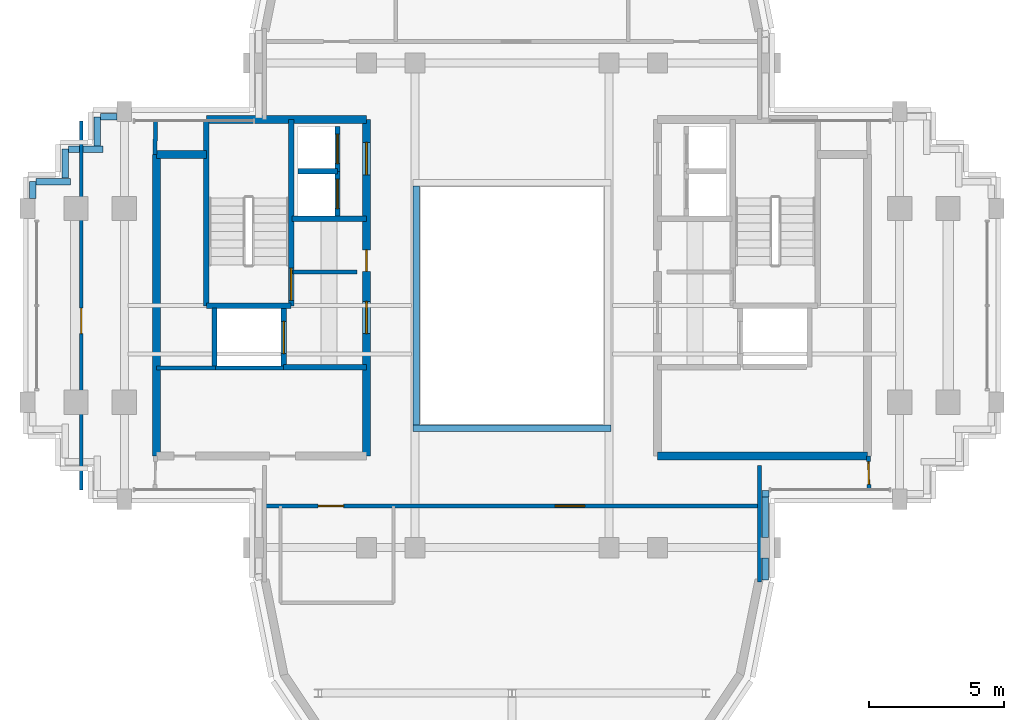
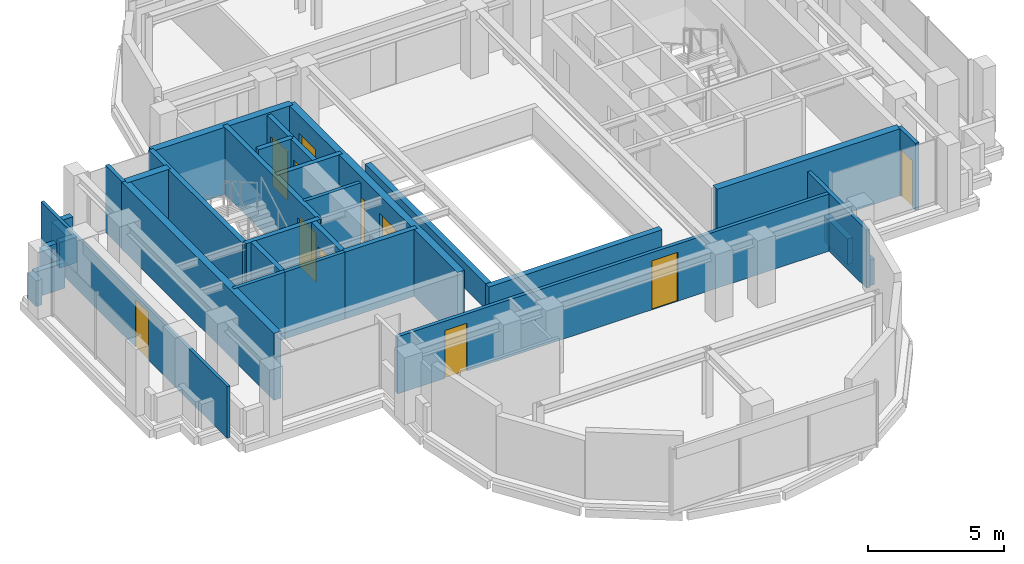
# One storey, part 8 of 12: 35 walls, 11 doors, 11 openings.
"""IFC4 building model written with IfcOpenShell, lengths in metres."""

import ifcopenshell
import ifcopenshell.guid

model = None  # the IFC model being written
_history = None  # IfcOwnerHistory: only IFC2X3 demands one
_inside = {}  # id of a spatial element -> (the spatial element, [elements in it])
_under = {}  # id of a project, library or spatial element -> (it, [spatial elements below it])
_declared = {}  # id of a project -> (the project, [libraries it declares])
_typed = {}  # id of a type object -> (the type object, [elements of that type])
_made_of = {}  # id of a material, layer set ... -> (it, [elements and type objects made of it])


def new_model(schema):
    """Start an empty IFC model of exactly this schema.

    Asked for "IFC4X3", IfcOpenShell would pick the latest addendum, in which some entities
    have other attributes; the version numbers below select the first issue.
    IFC2X3 requires an IfcOwnerHistory on every rooted entity: one is made here for all.
    """
    global model, _history
    if schema == "IFC4X3":
        model = ifcopenshell.file(schema_version=(4, 3, 0, 0))
    else:
        model = ifcopenshell.file(schema=schema)
    _inside.clear()
    _under.clear()
    _declared.clear()
    _typed.clear()
    _made_of.clear()
    _history = None
    if model.schema == "IFC2X3":
        org = make("IfcOrganization", Name="unknown")
        user = make(
            "IfcPersonAndOrganization",
            ThePerson=make("IfcPerson", FamilyName="unknown"),
            TheOrganization=org,
        )
        app = make(
            "IfcApplication",
            ApplicationDeveloper=org,
            Version="unknown",
            ApplicationFullName="unknown",
            ApplicationIdentifier="unknown",
        )
        _history = make(
            "IfcOwnerHistory",
            OwningUser=user,
            OwningApplication=app,
            ChangeAction="ADDED",
            CreationDate=0,
        )
    return model


def make(cls, **values):
    """One entity of the class cls with the attributes given. An attribute that is None is left unset."""
    return model.create_entity(
        cls, **{name: value for name, value in values.items() if value is not None}
    )


def rooted(cls, **values):
    """An entity with a GlobalId (a new one), such as an element, a storey or a relation."""
    return make(cls, GlobalId=ifcopenshell.guid.new(), OwnerHistory=_history, **values)


def si_unit(unit_type, name, prefix=None):
    """IfcSIUnit, for example si_unit("LENGTHUNIT", "METRE", prefix="MILLI")."""
    return make("IfcSIUnit", UnitType=unit_type, Prefix=prefix, Name=name)


def assignment(units):
    """IfcUnitAssignment: the units of a project."""
    return None if units is None else make("IfcUnitAssignment", Units=units)


def point(xyz):
    """IfcCartesianPoint."""
    return None if xyz is None else make("IfcCartesianPoint", Coordinates=xyz)


def direction(xyz):
    """IfcDirection."""
    return None if xyz is None else make("IfcDirection", DirectionRatios=xyz)


def frame(location, z_axis=None, x_axis=None):
    """IfcAxis2Placement3D, a coordinate frame: its origin and axes. An axis left out is left unset."""
    return make(
        "IfcAxis2Placement3D",
        Location=point(location),
        Axis=direction(z_axis),
        RefDirection=direction(x_axis),
    )


def frame_2d(location, x_axis=None):
    """IfcAxis2Placement2D, a coordinate frame in the plane: its origin and x axis."""
    return make(
        "IfcAxis2Placement2D", Location=point(location), RefDirection=direction(x_axis)
    )


def origin():
    """The frame at (0, 0, 0) with its axes left unset."""
    return frame((0.0, 0.0, 0.0))


def place(relative_to, where):
    """IfcLocalPlacement: puts the frame where relative to a parent placement (None: the world)."""
    return make(
        "IfcLocalPlacement", PlacementRelTo=relative_to, RelativePlacement=where
    )


def context(
    kind, dimensions, precision=None, world=None, true_north=None, identifier=None
):
    """IfcGeometricRepresentationContext, for example the 3D "Model" context."""
    return make(
        "IfcGeometricRepresentationContext",
        ContextIdentifier=identifier,
        ContextType=kind,
        CoordinateSpaceDimension=dimensions,
        Precision=precision,
        WorldCoordinateSystem=world,
        TrueNorth=true_north,
    )


def subcontext(parent, identifier, kind, view, scale=None):
    """IfcGeometricRepresentationSubContext, for example "Body" below "Model"."""
    return make(
        "IfcGeometricRepresentationSubContext",
        ContextIdentifier=identifier,
        ContextType=kind,
        ParentContext=parent,
        TargetScale=scale,
        TargetView=view,
    )


def project(units=None, contexts=None):
    """IfcProject with its units and contexts."""
    return rooted(
        "IfcProject",
        Name="project",
        RepresentationContexts=contexts,
        UnitsInContext=assignment(units),
    )


def spatial(cls, under=None, at=None, **own):
    """A site, building, storey or space (cls), placed at a placement, below another one or the project."""
    s = rooted(cls, ObjectPlacement=at, **own)
    if under is not None:
        _under.setdefault(under.id(), (under, []))[1].append(s)
    return s


def profile(cls, at=None, kind="AREA", **sizes):
    """A parametric profile (cls). Its sizes go by their IFC names, for example OverallWidth=200.0."""
    return make(cls, ProfileType=kind, Position=at, **sizes)


def rectangle(**sizes):
    """IfcRectangleProfileDef."""
    return profile("IfcRectangleProfileDef", **sizes)


def extrude(swept, where, along, depth):
    """IfcExtrudedAreaSolid: the profile swept, set in the frame where, extruded along a direction by depth."""
    return make(
        "IfcExtrudedAreaSolid",
        SweptArea=swept,
        Position=where,
        ExtrudedDirection=direction(along),
        Depth=depth,
    )


def shape(context_of_items, identifier, shape_type, items):
    """IfcShapeRepresentation: the items that make up one representation, for example the "Body"."""
    return make(
        "IfcShapeRepresentation",
        ContextOfItems=context_of_items,
        RepresentationIdentifier=identifier,
        RepresentationType=shape_type,
        Items=items,
    )


def source(mapping_origin, context_of_items, identifier, shape_type, items):
    """IfcRepresentationMap: a shape defined once, which mapped items show again and again."""
    return make(
        "IfcRepresentationMap",
        MappingOrigin=mapping_origin,
        MappedRepresentation=shape(context_of_items, identifier, shape_type, items),
    )


def transform(
    local_origin,
    x_axis=None,
    y_axis=None,
    z_axis=None,
    scale=None,
    scale2=None,
    scale3=None,
    uniform=True,
):
    """IfcCartesianTransformationOperator3D, or its non-uniform kind. x_axis, y_axis, z_axis: its Axis1, 2, 3."""
    if uniform:
        return make(
            "IfcCartesianTransformationOperator3D",
            Axis1=direction(x_axis),
            Axis2=direction(y_axis),
            LocalOrigin=point(local_origin),
            Scale=scale,
            Axis3=direction(z_axis),
        )
    return make(
        "IfcCartesianTransformationOperator3DnonUniform",
        Axis1=direction(x_axis),
        Axis2=direction(y_axis),
        LocalOrigin=point(local_origin),
        Scale=scale,
        Axis3=direction(z_axis),
        Scale2=scale2,
        Scale3=scale3,
    )


def mapped(mapping_source, mapping_target):
    """IfcMappedItem: shows the shape of a source again, moved by a transform."""
    return make(
        "IfcMappedItem", MappingSource=mapping_source, MappingTarget=mapping_target
    )


def material(Name=None, Category=None):
    """IfcMaterial."""
    return make("IfcMaterial", Name=Name, Category=Category)


def layer(
    of_material, thickness, ventilated=None, Name=None, Category=None, Priority=None
):
    """IfcMaterialLayer: one layer of a wall or slab, of a material (None: an air gap)."""
    return make(
        "IfcMaterialLayer",
        Material=of_material,
        LayerThickness=thickness,
        IsVentilated=ventilated,
        Name=Name,
        Category=Category,
        Priority=Priority,
    )


def layer_set(layers, Name=None):
    """IfcMaterialLayerSet."""
    return make("IfcMaterialLayerSet", MaterialLayers=layers, LayerSetName=Name)


def made_of(thing, what):
    """Note that an element or type object is made of a material, layer set ...; save() writes the relation."""
    if what is not None:
        _made_of.setdefault(what.id(), (what, []))[1].append(thing)
    return thing


def type_object(cls, material=None, **own):
    """A type object (cls), such as IfcWallType, which elements share."""
    return made_of(rooted(cls, **own), material)


def element(
    cls,
    number,
    at=None,
    inside=None,
    cuts=None,
    type_object=None,
    material=None,
    context=None,
    identifier="Body",
    shape_type=None,
    held_by="IfcProductDefinitionShape",
    body=None,
    shapes=None,
    **own,
):
    """One element of the class cls, such as IfcWall. Its Tag is "e" and its number.

    at: its placement. inside: the storey or other place that contains it. cuts: it is an
    opening in that element (IfcRelVoidsElement). A single representation is given by context,
    identifier, shape_type and body (its items); several are given by shapes. held_by: the class
    of the entity that holds the representations. save() writes the other relations.
    """
    e = rooted(cls, Tag="e%d" % number, ObjectPlacement=at, **own)
    if body is not None:
        shapes = [shape(context, identifier, shape_type, body)]
    if shapes is not None:
        e.Representation = make(held_by, Representations=shapes)
    if inside is not None:
        _inside.setdefault(inside.id(), (inside, []))[1].append(e)
    if cuts is not None:
        rooted(
            "IfcRelVoidsElement", RelatingBuildingElement=cuts, RelatedOpeningElement=e
        )
    if type_object is not None:
        _typed.setdefault(type_object.id(), (type_object, []))[1].append(e)
    return made_of(e, material)


def fill(opening, filler):
    """IfcRelFillsElement: the door or window that sits in an opening."""
    return rooted(
        "IfcRelFillsElement",
        RelatingOpeningElement=opening,
        RelatedBuildingElement=filler,
    )


def aggregate(whole, parts):
    """IfcRelAggregates: a whole, such as a stair, and the parts it consists of."""
    return rooted("IfcRelAggregates", RelatingObject=whole, RelatedObjects=parts)


def save(model, path):
    """Write the relations noted so far, then the file.

    IfcRelAggregates (storeys below a building ...), IfcRelContainedInSpatialStructure (elements
    in a storey), IfcRelDefinesByType, IfcRelAssociatesMaterial and IfcRelDeclares: one each for
    every whole, place, type object, material and project.
    """
    for whole, parts in _under.values():
        aggregate(whole, parts)
    for where, things in _inside.values():
        rooted(
            "IfcRelContainedInSpatialStructure",
            RelatedElements=things,
            RelatingStructure=where,
        )
    for kind, things in _typed.values():
        rooted("IfcRelDefinesByType", RelatedObjects=things, RelatingType=kind)
    for what, things in _made_of.values():
        rooted("IfcRelAssociatesMaterial", RelatedObjects=things, RelatingMaterial=what)
    for by, libraries in _declared.values():
        rooted("IfcRelDeclares", RelatingContext=by, RelatedDefinitions=libraries)
    model.write(path)


model = new_model("IFC4")

# Units and contexts
model_context = context("Model", 3, precision=1e-05, world=origin(), true_north=direction((0.0, 1.0)))
body_context = subcontext(model_context, "Body", "Model", "MODEL_VIEW")
ifc_project = project(units=[si_unit("LENGTHUNIT", "METRE"), si_unit("AREAUNIT", "SQUARE_METRE"), si_unit("VOLUMEUNIT", "CUBIC_METRE"), si_unit("PLANEANGLEUNIT", "RADIAN"), si_unit("MASSUNIT", "GRAM", prefix="KILO")], contexts=[model_context])

# Site, building, storey
site_placement = place(None, origin())
site = spatial("IfcSite", under=ifc_project, at=site_placement, CompositionType="ELEMENT")
building_placement = place(site_placement, origin())
building = spatial("IfcBuilding", under=site, at=building_placement, Name="Keilestroom Media Tower", CompositionType="ELEMENT")
storey_placement = place(building_placement, frame((0.0, 0.0, 249.199951171875)))
storey = spatial("IfcBuildingStorey", under=building, at=storey_placement, Name="L69", CompositionType="ELEMENT", Elevation=249.199951171875)

# Wall, opening, door
ifc_material_1 = material(Name="Gypsum Plasterboard & Steel Stud", Category="steel")
ifc_layer_1 = layer(ifc_material_1, 0.1201171875)
ifc_layer_set_1 = layer_set([ifc_layer_1], Name="Gypsum Plasterboard & Steel Stud")
wall_type_1 = type_object("IfcWallType", Name="Interior-Partition-Wall-120", PredefinedType="PARTITIONING", material=ifc_layer_set_1)
wall_1_placement = place(storey_placement, frame((-16.0, -6.85009765625, 0.0), z_axis=(0.0, 0.0, 1.0), x_axis=(0.0, 1.0, 0.0)))
wall_1 = element("IfcWall", 1, at=wall_1_placement, inside=storey, type_object=wall_type_1, Name="L69 Interior Wall WP-L69-WA-V", PredefinedType="PARTITIONING", context=body_context, shape_type="SweptSolid", body=[
    extrude(rectangle(XDim=13.7001953125, YDim=0.1201171875, at=frame_2d((6.85009765625, 0.0))), origin(), (0.0, 0.0, 1.0), 2.330078125),
])
opening_1_placement = place(wall_1_placement, frame((5.800048828125, 0.0, 0.0)))
opening_1 = element("IfcOpeningElement", 2, at=opening_1_placement, cuts=wall_1, Name="Opening DI-03", PredefinedType="OPENING", context=body_context, shape_type="SweptSolid", body=[
    extrude(rectangle(XDim=0.949951171875, YDim=2.14990234375, at=frame_2d((0.47509765625, 1.074951171875))), frame((0.0, 0.070068359375, 0.0), z_axis=(0.0, -1.0, 0.0), x_axis=(1.0, 0.0, 0.0)), (0.0, 0.0, 1.0), 0.14013671875),
])
ifc_material_2 = material(Name="Lacquered European Oak Leaf", Category="wood")
door_type_1 = type_object("IfcDoorType", Name="Interior-Room-And-Suite-Door-DI-03", OperationType="NOTDEFINED", PredefinedType="DOOR", material=ifc_material_2)
shared_shape_1 = source(origin(), body_context, "Body", "SweptSolid", [
    extrude(rectangle(XDim=0.949951171875, YDim=2.14990234375, at=frame_2d((0.47509765625, 1.074951171875))), frame((0.0, 0.02490234375, 0.0), z_axis=(0.0, -1.0, 0.0), x_axis=(1.0, 0.0, 0.0)), (0.0, 0.0, 1.0), 0.050048828125),
])
door_1_placement = place(opening_1_placement, origin())
door_1 = element("IfcDoor", 3, at=door_1_placement, inside=storey, type_object=door_type_1, Name="L69 Interior Door DI-L69-DWA-W", OperationType="SINGLE_SWING_LEFT", OverallHeight=2.14990234375, OverallWidth=0.949951171875, PredefinedType="DOOR", context=body_context, shape_type="MappedRepresentation", body=[
    mapped(shared_shape_1, transform((0.0, 0.0, 0.0), x_axis=(1.0, 0.0, 0.0), y_axis=(0.0, 1.0, 0.0), z_axis=(0.0, 0.0, 1.0), scale=1.0)),
])
fill(opening_1, door_1)

# Walls
ifc_layer_2 = layer(ifc_material_1, 0.14990234375)
ifc_layer_set_2 = layer_set([ifc_layer_2], Name="Gypsum Plasterboard & Steel Stud")
wall_type_2 = type_object("IfcWallType", Name="Interior-Partition-Wall-150", PredefinedType="PARTITIONING", material=ifc_layer_set_2)
wall_2_placement = place(storey_placement, frame((-8.139892578125, 1.239990234375, 0.0), z_axis=(0.0, 0.0, 1.0), x_axis=(1.0, 0.0, 0.0)))
element("IfcWall", 4, at=wall_2_placement, inside=storey, type_object=wall_type_2, Name="L69 Interior Wall WP-L69-FFW-TOP", PredefinedType="PARTITIONING", context=body_context, shape_type="SweptSolid", body=[
    extrude(rectangle(XDim=2.389892578125, YDim=0.14990234375, at=frame_2d((1.19482421875, 0.0))), origin(), (0.0, 0.0, 1.0), 3.010009765625),
])
wall_3_placement = place(storey_placement, frame((-13.199951171875, -2.320068359375, 0.0), z_axis=(0.0, 0.0, 1.0), x_axis=(1.0, 0.0, 0.0)))
element("IfcWall", 5, at=wall_3_placement, inside=storey, type_object=wall_type_2, Name="L69 Interior Wall WP-L69-RECLW-N", PredefinedType="PARTITIONING", context=body_context, shape_type="SweptSolid", body=[
    extrude(rectangle(XDim=2.179931640625, YDim=0.14990234375, at=frame_2d((1.08984375, 0.0))), origin(), (0.0, 0.0, 1.0), 3.010009765625),
])
wall_4_placement = place(storey_placement, frame((-11.0400390625, -2.320068359375, 0.0), z_axis=(0.0, 0.0, 1.0), x_axis=(1.0, 0.0, 0.0)))
element("IfcWall", 6, at=wall_4_placement, inside=storey, type_object=wall_type_2, Name="L69 Interior Wall WP-L69-RECMW-N", PredefinedType="PARTITIONING", context=body_context, shape_type="SweptSolid", body=[
    extrude(rectangle(XDim=2.56005859375, YDim=0.14990234375, at=frame_2d((1.280029296875, 0.0))), origin(), (0.0, 0.0, 1.0), 3.010009765625),
])

# Wall, openings, doors
wall_5_placement = place(storey_placement, frame((-9.199951171875, -7.449951171875, 0.0), z_axis=(0.0, 0.0, 1.0), x_axis=(1.0, 0.0, 0.0)))
wall_5 = element("IfcWall", 7, at=wall_5_placement, inside=storey, type_object=wall_type_2, Name="L69 Interior Wall WP-L69-SL-BASE", PredefinedType="PARTITIONING", context=body_context, shape_type="SweptSolid", body=[
    extrude(rectangle(XDim=18.39990234375, YDim=0.14990234375, at=frame_2d((9.199951171875, 0.0))), origin(), (0.0, 0.0, 1.0), 2.570068359375),
])
opening_2_placement = place(wall_5_placement, frame((2.0, 0.0, 0.0)))
opening_2 = element("IfcOpeningElement", 8, at=opening_2_placement, cuts=wall_5, Name="Opening DI-03", PredefinedType="OPENING", context=body_context, shape_type="SweptSolid", body=[
    extrude(rectangle(XDim=0.949951171875, YDim=2.14990234375, at=frame_2d((0.47509765625, 1.074951171875))), frame((0.0, 0.0849609375, 0.0), z_axis=(0.0, -1.0, 0.0), x_axis=(1.0, 0.0, 0.0)), (0.0, 0.0, 1.0), 0.169921875),
])
opening_3_placement = place(wall_5_placement, frame((10.800048828125, 0.0, 0.0)))
opening_3 = element("IfcOpeningElement", 9, at=opening_3_placement, cuts=wall_5, Name="Opening DI-04", PredefinedType="OPENING", context=body_context, shape_type="SweptSolid", body=[
    extrude(rectangle(XDim=1.10009765625, YDim=2.199951171875, at=frame_2d((0.550048828125, 1.10009765625))), frame((0.0, 0.0849609375, 0.0), z_axis=(0.0, -1.0, 0.0), x_axis=(1.0, 0.0, 0.0)), (0.0, 0.0, 1.0), 0.169921875),
])
door_2_placement = place(opening_2_placement, origin())
door_2 = element("IfcDoor", 10, at=door_2_placement, inside=storey, type_object=door_type_1, Name="L69 Interior Door DI-L69-DSL-WC4", OperationType="SINGLE_SWING_RIGHT", OverallHeight=2.14990234375, OverallWidth=0.949951171875, PredefinedType="DOOR", context=body_context, shape_type="MappedRepresentation", body=[
    mapped(shared_shape_1, transform((0.0, 0.0, 0.0), x_axis=(1.0, 0.0, 0.0), y_axis=(0.0, 1.0, 0.0), z_axis=(0.0, 0.0, 1.0), scale=1.0)),
])
fill(opening_2, door_2)
ifc_material_3 = material(Name="Acoustic Glazed Aluminium Leaf", Category="aluminium")
door_type_2 = type_object("IfcDoorType", Name="Interior-Room-And-Suite-Door-DI-04", OperationType="NOTDEFINED", PredefinedType="DOOR", material=ifc_material_3)
shared_shape_2 = source(origin(), body_context, "Body", "SweptSolid", [
    extrude(rectangle(XDim=1.10009765625, YDim=2.199951171875, at=frame_2d((0.550048828125, 1.10009765625))), frame((0.0, 0.02490234375, 0.0), z_axis=(0.0, -1.0, 0.0), x_axis=(1.0, 0.0, 0.0)), (0.0, 0.0, 1.0), 0.050048828125),
])
door_3_placement = place(opening_3_placement, origin())
door_3 = element("IfcDoor", 11, at=door_3_placement, inside=storey, type_object=door_type_2, Name="L69 Interior Door DI-L69-DSL-RR", OperationType="SINGLE_SWING_LEFT", OverallHeight=2.199951171875, OverallWidth=1.10009765625, PredefinedType="DOOR", context=body_context, shape_type="MappedRepresentation", body=[
    mapped(shared_shape_2, transform((0.0, 0.0, 0.0), x_axis=(1.0, 0.0, 0.0), y_axis=(0.0, 1.0, 0.0), z_axis=(0.0, 0.0, 1.0), scale=1.0)),
])
fill(opening_3, door_3)

# Walls
wall_6_placement = place(storey_placement, frame((9.199951171875, -10.280029296875, 0.0), z_axis=(0.0, 0.0, 1.0), x_axis=(0.0, 1.0, 0.0)))
element("IfcWall", 12, at=wall_6_placement, inside=storey, type_object=wall_type_2, Name="L69 Interior Wall WP-L69-SL-CHKE", PredefinedType="PARTITIONING", context=body_context, shape_type="SweptSolid", body=[
    extrude(rectangle(XDim=4.340087890625, YDim=0.14990234375, at=frame_2d((2.169921875, 0.0))), origin(), (0.0, 0.0, 1.0), 2.610107421875),
])
wall_7_placement = place(storey_placement, frame((-13.260009765625, 5.60009765625, 0.0), z_axis=(0.0, 0.0, 1.0), x_axis=(0.016013571389, 0.999871774545, 0.0)))
element("IfcWall", 13, at=wall_7_placement, inside=storey, type_object=wall_type_2, Name="L69 Interior Wall WP-L69-WA-ENTN", PredefinedType="PARTITIONING", context=body_context, shape_type="SweptSolid", body=[
    extrude(rectangle(XDim=1.250244140625, YDim=0.14990234375, at=frame_2d((0.625, 0.0))), origin(), (0.0, 0.0, 1.0), 3.010009765625),
])

# Wall, opening, door
wall_8_placement = place(storey_placement, frame((13.260009765625, -6.85009765625, 0.0), z_axis=(0.0, 0.0, 1.0), x_axis=(-0.016013571389, 0.999871774545, 0.0)))
wall_8 = element("IfcWall", 14, at=wall_8_placement, inside=storey, type_object=wall_type_2, Name="L69 Interior Wall WP-L69-EA-ENTS", PredefinedType="PARTITIONING", context=body_context, shape_type="SweptSolid", body=[
    extrude(rectangle(XDim=1.250244140625, YDim=0.14990234375, at=frame_2d((0.625, 0.0))), origin(), (0.0, 0.0, 1.0), 3.010009765625),
])
opening_4_placement = place(wall_8_placement, frame((0.199951171875, 0.0, 0.0)))
opening_4 = element("IfcOpeningElement", 15, at=opening_4_placement, cuts=wall_8, Name="Opening DI-05", PredefinedType="OPENING", context=body_context, shape_type="SweptSolid", body=[
    extrude(rectangle(XDim=0.85009765625, YDim=2.10009765625, at=frame_2d((0.425048828125, 1.050048828125))), frame((0.0, 0.0849609375, 0.0), z_axis=(0.0, -1.0, 0.0), x_axis=(1.0, 0.0, 0.0)), (0.0, 0.0, 1.0), 0.169921875),
])
ifc_material_4 = material(Name="Moisture-Resistant Oak Leaf", Category="wood")
door_type_3 = type_object("IfcDoorType", Name="Interior-En-Suite-And-Cupboard-Door-DI-05", OperationType="NOTDEFINED", PredefinedType="DOOR", material=ifc_material_4)
shared_shape_3 = source(origin(), body_context, "Body", "SweptSolid", [
    extrude(rectangle(XDim=0.85009765625, YDim=2.10009765625, at=frame_2d((0.425048828125, 1.050048828125))), frame((0.0, 0.02490234375, 0.0), z_axis=(0.0, -1.0, 0.0), x_axis=(1.0, 0.0, 0.0)), (0.0, 0.0, 1.0), 0.050048828125),
])
door_4_placement = place(opening_4_placement, origin())
door_4 = element("IfcDoor", 16, at=door_4_placement, inside=storey, type_object=door_type_3, Name="L69 Interior Door DI-L69-DEA-S", OperationType="SINGLE_SWING_RIGHT", OverallHeight=2.10009765625, OverallWidth=0.85009765625, PredefinedType="DOOR", context=body_context, shape_type="MappedRepresentation", body=[
    mapped(shared_shape_3, transform((0.0, 0.0, 0.0), x_axis=(1.0, 0.0, 0.0), y_axis=(0.0, 1.0, 0.0), z_axis=(0.0, 0.0, 1.0), scale=1.0)),
])
fill(opening_4, door_4)

# Wall
ifc_material_5 = material(Name="Concrete C50/60", Category="concrete")
ifc_layer_3 = layer(ifc_material_5, 0.300048828125)
ifc_layer_set_3 = layer_set([ifc_layer_3], Name="Concrete C50/60")
wall_type_3 = type_object("IfcWallType", Name="Reinforced-Concrete-Core-Shear-Wall-300", PredefinedType="SHEAR", material=ifc_layer_set_3)
wall_9_placement = place(storey_placement, frame((-13.199951171875, -5.60009765625, 0.0), z_axis=(0.0, 0.0, 1.0), x_axis=(0.0, 1.0, 0.0)))
element("IfcWall", 17, at=wall_9_placement, inside=storey, type_object=wall_type_3, Name="L69 Core Shear Wall WL-L69-CORE-W-OUT", PredefinedType="SHEAR", context=body_context, shape_type="SweptSolid", body=[
    extrude(rectangle(XDim=11.2001953125, YDim=0.300048828125, at=frame_2d((5.60009765625, 0.0))), origin(), (0.0, 0.0, 1.0), 3.010009765625),
])

# Wall, openings, doors
wall_10_placement = place(storey_placement, frame((-5.39990234375, -5.60009765625, 0.0), z_axis=(0.0, 0.0, 1.0), x_axis=(0.0, 1.0, 0.0)))
wall_10 = element("IfcWall", 18, at=wall_10_placement, inside=storey, type_object=wall_type_3, Name="L69 Core Shear Wall WL-L69-CORE-W-IN", PredefinedType="SHEAR", context=body_context, shape_type="SweptSolid", body=[
    extrude(rectangle(XDim=12.5, YDim=0.300048828125, at=frame_2d((6.25, 0.0))), origin(), (0.0, 0.0, 1.0), 3.010009765625),
])
opening_5_placement = place(wall_10_placement, frame((4.550048828125, 0.0, 0.0)))
opening_5 = element("IfcOpeningElement", 19, at=opening_5_placement, cuts=wall_10, Name="Opening DI-02", PredefinedType="OPENING", context=body_context, shape_type="SweptSolid", body=[
    extrude(rectangle(XDim=1.199951171875, YDim=2.199951171875, at=frame_2d((0.60009765625, 1.10009765625))), frame((0.0, 0.16015625, 0.0), z_axis=(0.0, -1.0, 0.0), x_axis=(1.0, 0.0, 0.0)), (0.0, 0.0, 1.0), 0.320068359375),
])
opening_6_placement = place(wall_10_placement, frame((10.449951171875, 0.0, 0.0)))
opening_6 = element("IfcOpeningElement", 20, at=opening_6_placement, cuts=wall_10, Name="Opening DI-02", PredefinedType="OPENING", context=body_context, shape_type="SweptSolid", body=[
    extrude(rectangle(XDim=1.199951171875, YDim=2.199951171875, at=frame_2d((0.60009765625, 1.10009765625))), frame((0.0, 0.16015625, 0.0), z_axis=(0.0, -1.0, 0.0), x_axis=(1.0, 0.0, 0.0)), (0.0, 0.0, 1.0), 0.320068359375),
])
opening_7_placement = place(wall_10_placement, frame((6.860107421875, 0.0, 0.0)))
opening_7 = element("IfcOpeningElement", 21, at=opening_7_placement, cuts=wall_10, Name="Opening DI-06", PredefinedType="OPENING", context=body_context, shape_type="SweptSolid", body=[
    extrude(rectangle(XDim=0.800048828125, YDim=2.10009765625, at=frame_2d((0.39990234375, 1.050048828125))), frame((0.0, 0.16015625, 0.0), z_axis=(0.0, -1.0, 0.0), x_axis=(1.0, 0.0, 0.0)), (0.0, 0.0, 1.0), 0.320068359375),
])
ifc_material_6 = material(Name="Powder-Coated Steel Fire Leaf", Category="steel")
door_type_4 = type_object("IfcDoorType", Name="Interior-Compartment-Fire-Door-DI-02", OperationType="NOTDEFINED", PredefinedType="DOOR", material=ifc_material_6)
shared_shape_4 = source(origin(), body_context, "Body", "SweptSolid", [
    extrude(rectangle(XDim=1.199951171875, YDim=2.199951171875, at=frame_2d((0.60009765625, 1.10009765625))), frame((0.0, 0.02490234375, 0.0), z_axis=(0.0, -1.0, 0.0), x_axis=(1.0, 0.0, 0.0)), (0.0, 0.0, 1.0), 0.050048828125),
])
door_5_placement = place(opening_5_placement, origin())
door_5 = element("IfcDoor", 22, at=door_5_placement, inside=storey, type_object=door_type_4, Name="L69 W Firefighting Lobby Door", OperationType="SINGLE_SWING_RIGHT", OverallHeight=2.199951171875, OverallWidth=1.199951171875, PredefinedType="DOOR", context=body_context, shape_type="MappedRepresentation", body=[
    mapped(shared_shape_4, transform((0.0, 0.0, 0.0), x_axis=(1.0, 0.0, 0.0), y_axis=(0.0, 1.0, 0.0), z_axis=(0.0, 0.0, 1.0), scale=1.0)),
])
fill(opening_5, door_5)
door_6_placement = place(opening_6_placement, origin())
door_6 = element("IfcDoor", 23, at=door_6_placement, inside=storey, type_object=door_type_4, Name="L69 W High-Rise Lift Lobby Door", OperationType="SINGLE_SWING_LEFT", OverallHeight=2.199951171875, OverallWidth=1.199951171875, PredefinedType="DOOR", context=body_context, shape_type="MappedRepresentation", body=[
    mapped(shared_shape_4, transform((0.0, 0.0, 0.0), x_axis=(1.0, 0.0, 0.0), y_axis=(0.0, 1.0, 0.0), z_axis=(0.0, 0.0, 1.0), scale=1.0)),
])
fill(opening_6, door_6)
ifc_material_7 = material(Name="Powder-Coated Steel Service Leaf", Category="steel")
door_type_5 = type_object("IfcDoorType", Name="Interior-Riser-Access-Door-DI-06", OperationType="NOTDEFINED", PredefinedType="DOOR", material=ifc_material_7)
shared_shape_5 = source(origin(), body_context, "Body", "SweptSolid", [
    extrude(rectangle(XDim=0.800048828125, YDim=2.10009765625, at=frame_2d((0.39990234375, 1.050048828125))), frame((0.0, 0.02490234375, 0.0), z_axis=(0.0, -1.0, 0.0), x_axis=(1.0, 0.0, 0.0)), (0.0, 0.0, 1.0), 0.050048828125),
])
door_7_placement = place(opening_7_placement, origin())
door_7 = element("IfcDoor", 24, at=door_7_placement, inside=storey, type_object=door_type_5, Name="L69 West Core Switchroom Door", OperationType="SINGLE_SWING_LEFT", OverallHeight=2.10009765625, OverallWidth=0.800048828125, PredefinedType="DOOR", context=body_context, shape_type="MappedRepresentation", body=[
    mapped(shared_shape_5, transform((0.0, 0.0, 0.0), x_axis=(1.0, 0.0, 0.0), y_axis=(0.0, 1.0, 0.0), z_axis=(0.0, 0.0, 1.0), scale=1.0)),
])
fill(opening_7, door_7)

# Walls
wall_11_placement = place(storey_placement, frame((-11.35595703125, 6.89990234375, 0.0), z_axis=(0.0, 0.0, 1.0), x_axis=(1.0, 0.0, 0.0)))
element("IfcWall", 25, at=wall_11_placement, inside=storey, type_object=wall_type_3, Name="L69 Core Shear Wall WL-L69-CORE-W-N", PredefinedType="SHEAR", context=body_context, shape_type="SweptSolid", body=[
    extrude(rectangle(XDim=5.9560546875, YDim=0.300048828125, at=frame_2d((2.97802734375, 0.0))), origin(), (0.0, 0.0, 1.0), 3.010009765625),
])
wall_12_placement = place(storey_placement, frame((-13.199951171875, 5.60009765625, 0.0), z_axis=(0.0, 0.0, 1.0), x_axis=(1.0, 0.0, 0.0)))
element("IfcWall", 26, at=wall_12_placement, inside=storey, type_object=wall_type_3, Name="L69 Core Shear Wall WL-L69-CNW-N", PredefinedType="SHEAR", context=body_context, shape_type="SweptSolid", body=[
    extrude(rectangle(XDim=1.843994140625, YDim=0.300048828125, at=frame_2d((0.921875, 0.0))), origin(), (0.0, 0.0, 1.0), 3.010009765625),
])
wall_13_placement = place(storey_placement, frame((5.39990234375, -5.60009765625, 0.0), z_axis=(0.0, 0.0, 1.0), x_axis=(1.0, 0.0, 0.0)))
element("IfcWall", 27, at=wall_13_placement, inside=storey, type_object=wall_type_3, Name="L69 Core Shear Wall WL-L69-CORE-E-S", PredefinedType="SHEAR", context=body_context, shape_type="SweptSolid", body=[
    extrude(rectangle(XDim=7.800048828125, YDim=0.300048828125, at=frame_2d((3.89990234375, 0.0))), origin(), (0.0, 0.0, 1.0), 3.010009765625),
])
ifc_layer_4 = layer(ifc_material_5, 0.199951171875)
ifc_layer_set_4 = layer_set([ifc_layer_4], Name="Concrete C50/60")
wall_type_4 = type_object("IfcWallType", Name="Reinforced-Concrete-Shaft-Wall-200", PredefinedType="SOLIDWALL", material=ifc_layer_set_4)
wall_14_placement = place(storey_placement, frame((-8.179931640625, 3.219970703125, 0.0), z_axis=(0.0, 0.0, 1.0), x_axis=(1.0, 0.0, 0.0)))
element("IfcWall", 28, at=wall_14_placement, inside=storey, type_object=wall_type_4, Name="L69 Core Shear Wall WL-L69-CORE-W-FFN", PredefinedType="SOLIDWALL", context=body_context, shape_type="SweptSolid", body=[
    extrude(rectangle(XDim=2.780029296875, YDim=0.199951171875, at=frame_2d((1.39013671875, 0.0))), origin(), (0.0, 0.0, 1.0), 3.010009765625),
])
wall_15_placement = place(storey_placement, frame((-8.47998046875, -2.300048828125, 0.0), z_axis=(0.0, 0.0, 1.0), x_axis=(1.0, 0.0, 0.0)))
element("IfcWall", 29, at=wall_15_placement, inside=storey, type_object=wall_type_4, Name="L69 Core Shear Wall WL-L69-CORE-W-FFS", PredefinedType="SOLIDWALL", context=body_context, shape_type="SweptSolid", body=[
    extrude(rectangle(XDim=3.080078125, YDim=0.199951171875, at=frame_2d((1.5400390625, 0.0))), origin(), (0.0, 0.0, 1.0), 3.010009765625),
])

# Wall, opening, door
wall_16_placement = place(storey_placement, frame((-8.2041015625, -0.01611328125, 0.0), z_axis=(0.0, 0.0, 1.0), x_axis=(0.0, 1.0, 0.0)))
wall_16 = element("IfcWall", 30, at=wall_16_placement, inside=storey, type_object=wall_type_4, Name="L69 Core Shear Wall WL-L69-STW-W-NEAR", PredefinedType="SOLIDWALL", context=body_context, shape_type="SweptSolid", body=[
    extrude(rectangle(XDim=6.916015625, YDim=0.199951171875, at=frame_2d((3.4580078125, 0.0))), origin(), (0.0, 0.0, 1.0), 3.010009765625),
])
opening_8_placement = place(wall_16_placement, frame((0.199951171875, 0.0, 0.0)))
opening_8 = element("IfcOpeningElement", 31, at=opening_8_placement, cuts=wall_16, Name="Opening DI-01S", PredefinedType="OPENING", context=body_context, shape_type="SweptSolid", body=[
    extrude(rectangle(XDim=1.199951171875, YDim=2.199951171875, at=frame_2d((0.60009765625, 1.10009765625))), frame((0.0, 0.10986328125, 0.0), z_axis=(0.0, -1.0, 0.0), x_axis=(1.0, 0.0, 0.0)), (0.0, 0.0, 1.0), 0.219970703125),
])
door_type_6 = type_object("IfcDoorType", Name="Interior-Stair-And-Core-Fire-Door-DI-01", OperationType="NOTDEFINED", PredefinedType="DOOR", material=ifc_material_6)
door_8_placement = place(opening_8_placement, origin())
door_8 = element("IfcDoor", 32, at=door_8_placement, inside=storey, type_object=door_type_6, Name="L69 Escape Stair ST-1 Fire Door", OperationType="SINGLE_SWING_LEFT", OverallHeight=2.199951171875, OverallWidth=1.199951171875, PredefinedType="DOOR", context=body_context, shape_type="MappedRepresentation", body=[
    mapped(shared_shape_4, transform((0.0, 0.0, 0.0), x_axis=(1.0, 0.0, 0.0), y_axis=(0.0, 1.0, 0.0), z_axis=(0.0, 0.0, 1.0), scale=1.0)),
])
fill(opening_8, door_8)

# Walls
wall_17_placement = place(storey_placement, frame((-11.35595703125, -0.01611328125, 0.0), z_axis=(0.0, 0.0, 1.0), x_axis=(0.0, 1.0, 0.0)))
element("IfcWall", 33, at=wall_17_placement, inside=storey, type_object=wall_type_4, Name="L69 Core Shear Wall WL-L69-STW-W-FAR", PredefinedType="SOLIDWALL", context=body_context, shape_type="SweptSolid", body=[
    extrude(rectangle(XDim=6.916015625, YDim=0.199951171875, at=frame_2d((3.4580078125, 0.0))), origin(), (0.0, 0.0, 1.0), 3.010009765625),
])
wall_18_placement = place(storey_placement, frame((-11.35595703125, -0.01611328125, 0.0), z_axis=(0.0, 0.0, 1.0), x_axis=(1.0, 0.0, 0.0)))
element("IfcWall", 34, at=wall_18_placement, inside=storey, type_object=wall_type_4, Name="L69 Core Shear Wall WL-L69-STW-W-S", PredefinedType="SOLIDWALL", context=body_context, shape_type="SweptSolid", body=[
    extrude(rectangle(XDim=3.15185546875, YDim=0.199951171875, at=frame_2d((1.575927734375, 0.0))), origin(), (0.0, 0.0, 1.0), 3.010009765625),
])
wall_19_placement = place(storey_placement, frame((-11.050048828125, -2.280029296875, 0.0), z_axis=(0.0, 0.0, 1.0), x_axis=(0.0, 1.0, 0.0)))
element("IfcWall", 35, at=wall_19_placement, inside=storey, type_object=wall_type_4, Name="L69 Core Shear Wall WL-L69-LSH-FFL-1-W", PredefinedType="SOLIDWALL", context=body_context, shape_type="SweptSolid", body=[
    extrude(rectangle(XDim=2.179931640625, YDim=0.199951171875, at=frame_2d((1.08984375, 0.0))), origin(), (0.0, 0.0, 1.0), 3.010009765625),
])

# Wall, opening, door
wall_20_placement = place(storey_placement, frame((-8.47998046875, -2.280029296875, 0.0), z_axis=(0.0, 0.0, 1.0), x_axis=(0.0, 1.0, 0.0)))
wall_20 = element("IfcWall", 36, at=wall_20_placement, inside=storey, type_object=wall_type_4, Name="L69 Core Shear Wall WL-L69-LSH-FFL-1-E", PredefinedType="SOLIDWALL", context=body_context, shape_type="SweptSolid", body=[
    extrude(rectangle(XDim=2.179931640625, YDim=0.199951171875, at=frame_2d((1.08984375, 0.0))), origin(), (0.0, 0.0, 1.0), 3.010009765625),
])
opening_9_placement = place(wall_20_placement, frame((0.489990234375, 0.0, 0.0)))
opening_9 = element("IfcOpeningElement", 37, at=opening_9_placement, cuts=wall_20, Name="Opening LD-02", PredefinedType="OPENING", context=body_context, shape_type="SweptSolid", body=[
    extrude(rectangle(XDim=1.199951171875, YDim=2.199951171875, at=frame_2d((0.60009765625, 1.10009765625))), frame((0.0, 0.10986328125, 0.0), z_axis=(0.0, -1.0, 0.0), x_axis=(1.0, 0.0, 0.0)), (0.0, 0.0, 1.0), 0.219970703125),
])
ifc_material_8 = material(Name="Brushed Stainless Steel Sliding Leaf", Category="steel")
door_type_7 = type_object("IfcDoorType", Name="Lift-Landing-Sliding-Door-LD-02", OperationType="SLIDING_TO_RIGHT", PredefinedType="DOOR", material=ifc_material_8)
door_9_placement = place(opening_9_placement, origin())
door_9 = element("IfcDoor", 38, at=door_9_placement, inside=storey, type_object=door_type_7, Name="L69 Lift FFL-1 Landing Sliding Door", OperationType="SLIDING_TO_RIGHT", OverallHeight=2.199951171875, OverallWidth=1.199951171875, PredefinedType="DOOR", context=body_context, shape_type="MappedRepresentation", body=[
    mapped(shared_shape_4, transform((0.0, 0.0, 0.0), x_axis=(1.0, 0.0, 0.0), y_axis=(0.0, 1.0, 0.0), z_axis=(0.0, 0.0, 1.0), scale=1.0)),
])
fill(opening_9, door_9)

wall_21_placement = place(storey_placement, frame((-6.47998046875, 3.300048828125, 0.0), z_axis=(0.0, 0.0, 1.0), x_axis=(0.0, 1.0, 0.0)))
wall_21 = element("IfcWall", 39, at=wall_21_placement, inside=storey, type_object=wall_type_4, Name="L69 Core Shear Wall WL-L69-LSH-PL-H1-E", PredefinedType="SOLIDWALL", context=body_context, shape_type="SweptSolid", body=[
    extrude(rectangle(XDim=1.679931640625, YDim=0.199951171875, at=frame_2d((0.83984375, 0.0))), origin(), (0.0, 0.0, 1.0), 3.010009765625),
])
opening_10_placement = place(wall_21_placement, frame((0.2900390625, 0.0, 0.0)))
opening_10 = element("IfcOpeningElement", 40, at=opening_10_placement, cuts=wall_21, Name="Opening LD-01", PredefinedType="OPENING", context=body_context, shape_type="SweptSolid", body=[
    extrude(rectangle(XDim=1.10009765625, YDim=2.199951171875, at=frame_2d((0.550048828125, 1.10009765625))), frame((0.0, 0.10986328125, 0.0), z_axis=(0.0, -1.0, 0.0), x_axis=(1.0, 0.0, 0.0)), (0.0, 0.0, 1.0), 0.219970703125),
])
door_type_8 = type_object("IfcDoorType", Name="Lift-Landing-Sliding-Door-LD-01", OperationType="SLIDING_TO_LEFT", PredefinedType="DOOR", material=ifc_material_8)
door_10_placement = place(opening_10_placement, origin())
door_10 = element("IfcDoor", 41, at=door_10_placement, inside=storey, type_object=door_type_8, Name="L69 Lift PL-H1 Landing Sliding Door", OperationType="SLIDING_TO_LEFT", OverallHeight=2.199951171875, OverallWidth=1.10009765625, PredefinedType="DOOR", context=body_context, shape_type="MappedRepresentation", body=[
    mapped(shared_shape_2, transform((0.0, 0.0, 0.0), x_axis=(1.0, 0.0, 0.0), y_axis=(0.0, 1.0, 0.0), z_axis=(0.0, 0.0, 1.0), scale=1.0)),
])
fill(opening_10, door_10)

# Wall
wall_22_placement = place(storey_placement, frame((-7.949951171875, 4.97998046875, 0.0), z_axis=(0.0, 0.0, 1.0), x_axis=(1.0, 0.0, 0.0)))
element("IfcWall", 42, at=wall_22_placement, inside=storey, type_object=wall_type_4, Name="L69 Core Shear Wall WL-L69-LSH-PL-H1-N", PredefinedType="SOLIDWALL", context=body_context, shape_type="SweptSolid", body=[
    extrude(rectangle(XDim=1.469970703125, YDim=0.199951171875, at=frame_2d((0.73486328125, 0.0))), origin(), (0.0, 0.0, 1.0), 3.010009765625),
])

# Wall, opening, door
wall_23_placement = place(storey_placement, frame((-6.47998046875, 4.97998046875, 0.0), z_axis=(0.0, 0.0, 1.0), x_axis=(0.0, 1.0, 0.0)))
wall_23 = element("IfcWall", 43, at=wall_23_placement, inside=storey, type_object=wall_type_4, Name="L69 Core Shear Wall WL-L69-LSH-PL-H2-E", PredefinedType="SOLIDWALL", context=body_context, shape_type="SweptSolid", body=[
    extrude(rectangle(XDim=1.669921875, YDim=0.199951171875, at=frame_2d((0.8349609375, 0.0))), origin(), (0.0, 0.0, 1.0), 3.010009765625),
])
opening_11_placement = place(wall_23_placement, frame((0.284912109375, 0.0, 0.0)))
opening_11 = element("IfcOpeningElement", 44, at=opening_11_placement, cuts=wall_23, Name="Opening LD-01", PredefinedType="OPENING", context=body_context, shape_type="SweptSolid", body=[
    extrude(rectangle(XDim=1.10009765625, YDim=2.199951171875, at=frame_2d((0.550048828125, 1.10009765625))), frame((0.0, 0.10986328125, 0.0), z_axis=(0.0, -1.0, 0.0), x_axis=(1.0, 0.0, 0.0)), (0.0, 0.0, 1.0), 0.219970703125),
])
door_11_placement = place(opening_11_placement, origin())
door_11 = element("IfcDoor", 45, at=door_11_placement, inside=storey, type_object=door_type_8, Name="L69 Lift PL-H2 Landing Sliding Door", OperationType="SLIDING_TO_LEFT", OverallHeight=2.199951171875, OverallWidth=1.10009765625, PredefinedType="DOOR", context=body_context, shape_type="MappedRepresentation", body=[
    mapped(shared_shape_2, transform((0.0, 0.0, 0.0), x_axis=(1.0, 0.0, 0.0), y_axis=(0.0, 1.0, 0.0), z_axis=(0.0, 0.0, 1.0), scale=1.0)),
])
fill(opening_11, door_11)

# Walls
ifc_material_9 = material(Name="Precast concrete C40/50", Category="concrete")
ifc_layer_5 = layer(ifc_material_9, 0.239990234375)
ifc_layer_set_5 = layer_set([ifc_layer_5], Name="Precast concrete C40/50")
wall_type_5 = type_object("IfcWallType", Name="Roof-And-Terrace-Parapet-Wall-240", PredefinedType="PARAPET", material=ifc_layer_set_5)
wall_24_placement = place(storey_placement, frame((9.547119140625, -7.0, 0.0), z_axis=(0.0, 0.0, 1.0), x_axis=(-1.0, 0.0, 0.0)))
element("IfcWall", 46, at=wall_24_placement, inside=storey, type_object=wall_type_5, Name="L69 Perimeter Edge Parapet Wall 06", PredefinedType="PARAPET", context=body_context, shape_type="SweptSolid", body=[
    extrude(rectangle(XDim=0.26904296875, YDim=0.239990234375, at=frame_2d((0.134521484375, 0.0))), origin(), (0.0, 0.0, 1.0), 1.150146484375),
])
wall_25_placement = place(storey_placement, frame((9.39990234375, -7.123046875, 0.0), z_axis=(0.0, 0.0, 1.0), x_axis=(0.0, -1.0, 0.0)))
element("IfcWall", 47, at=wall_25_placement, inside=storey, type_object=wall_type_5, Name="L69 Perimeter Edge Parapet Wall 07", PredefinedType="PARAPET", context=body_context, shape_type="SweptSolid", body=[
    extrude(rectangle(XDim=1.4990234375, YDim=0.239990234375, at=frame_2d((0.74951171875, 0.0))), origin(), (0.0, 0.0, 1.0), 1.150146484375),
])
wall_26_placement = place(storey_placement, frame((9.39990234375, -9.3779296875, 0.0), z_axis=(0.0, 0.0, 1.0), x_axis=(0.0, -1.0, 0.0)))
element("IfcWall", 48, at=wall_26_placement, inside=storey, type_object=wall_type_5, Name="L69 Perimeter Edge Parapet Wall 08", PredefinedType="PARAPET", context=body_context, shape_type="SweptSolid", body=[
    extrude(rectangle(XDim=0.824951171875, YDim=0.239990234375, at=frame_2d((0.41259765625, 0.0))), origin(), (0.0, 0.0, 1.0), 1.150146484375),
])
wall_27_placement = place(storey_placement, frame((-17.800048828125, 3.97802734375, 0.0), z_axis=(0.0, 0.0, 1.0), x_axis=(0.0, 1.0, 0.0)))
element("IfcWall", 49, at=wall_27_placement, inside=storey, type_object=wall_type_5, Name="L69 Perimeter Edge Parapet Wall 19", PredefinedType="PARAPET", context=body_context, shape_type="SweptSolid", body=[
    extrude(rectangle(XDim=0.6220703125, YDim=0.239990234375, at=frame_2d((0.31103515625, 0.0))), origin(), (0.0, 0.0, 1.0), 1.150146484375),
])
wall_28_placement = place(storey_placement, frame((-17.677001953125, 4.60009765625, 0.0), z_axis=(0.0, 0.0, 1.0), x_axis=(1.0, 0.0, 0.0)))
element("IfcWall", 50, at=wall_28_placement, inside=storey, type_object=wall_type_5, Name="L69 Perimeter Edge Parapet Wall 20", PredefinedType="PARAPET", context=body_context, shape_type="SweptSolid", body=[
    extrude(rectangle(XDim=1.277099609375, YDim=0.239990234375, at=frame_2d((0.638671875, 0.0))), origin(), (0.0, 0.0, 1.0), 1.150146484375),
])
wall_29_placement = place(storey_placement, frame((-16.60009765625, 4.722900390625, 0.0), z_axis=(0.0, 0.0, 1.0), x_axis=(0.0, 1.0, 0.0)))
element("IfcWall", 51, at=wall_29_placement, inside=storey, type_object=wall_type_5, Name="L69 Perimeter Edge Parapet Wall 21", PredefinedType="PARAPET", context=body_context, shape_type="SweptSolid", body=[
    extrude(rectangle(XDim=1.0771484375, YDim=0.239990234375, at=frame_2d((0.53857421875, 0.0))), origin(), (0.0, 0.0, 1.0), 1.150146484375),
])
wall_30_placement = place(storey_placement, frame((-16.47705078125, 5.800048828125, 0.0), z_axis=(0.0, 0.0, 1.0), x_axis=(1.0, 0.0, 0.0)))
element("IfcWall", 52, at=wall_30_placement, inside=storey, type_object=wall_type_5, Name="L69 Perimeter Edge Parapet Wall 22", PredefinedType="PARAPET", context=body_context, shape_type="SweptSolid", body=[
    extrude(rectangle(XDim=0.4140625, YDim=0.239990234375, at=frame_2d((0.20703125, 0.0))), origin(), (0.0, 0.0, 1.0), 1.150146484375),
])
wall_31_placement = place(storey_placement, frame((-15.93701171875, 5.800048828125, 0.0), z_axis=(0.0, 0.0, 1.0), x_axis=(1.0, 0.0, 0.0)))
element("IfcWall", 53, at=wall_31_placement, inside=storey, type_object=wall_type_5, Name="L69 Perimeter Edge Parapet Wall 23", PredefinedType="PARAPET", context=body_context, shape_type="SweptSolid", body=[
    extrude(rectangle(XDim=0.737060546875, YDim=0.239990234375, at=frame_2d((0.36865234375, 0.0))), origin(), (0.0, 0.0, 1.0), 1.150146484375),
])
wall_32_placement = place(storey_placement, frame((-15.39990234375, 5.923095703125, 0.0), z_axis=(0.0, 0.0, 1.0), x_axis=(0.0, 1.0, 0.0)))
element("IfcWall", 54, at=wall_32_placement, inside=storey, type_object=wall_type_5, Name="L69 Perimeter Edge Parapet Wall 24", PredefinedType="PARAPET", context=body_context, shape_type="SweptSolid", body=[
    extrude(rectangle(XDim=1.076904296875, YDim=0.239990234375, at=frame_2d((0.53857421875, 0.0))), origin(), (0.0, 0.0, 1.0), 1.150146484375),
])
wall_33_placement = place(storey_placement, frame((-15.277099609375, 7.0, 0.0), z_axis=(0.0, 0.0, 1.0), x_axis=(1.0, 0.0, 0.0)))
element("IfcWall", 55, at=wall_33_placement, inside=storey, type_object=wall_type_5, Name="L69 Perimeter Edge Parapet Wall 25", PredefinedType="PARAPET", context=body_context, shape_type="SweptSolid", body=[
    extrude(rectangle(XDim=0.59912109375, YDim=0.239990234375, at=frame_2d((0.299560546875, 0.0))), origin(), (0.0, 0.0, 1.0), 1.150146484375),
])
wall_34_placement = place(storey_placement, frame((-3.679931640625, -4.56005859375, 0.0), z_axis=(0.0, 0.0, 1.0), x_axis=(1.0, 0.0, 0.0)))
element("IfcWall", 56, at=wall_34_placement, inside=storey, type_object=wall_type_5, Name="L69 Central Atrium Guard Parapet S", PredefinedType="PARAPET", context=body_context, shape_type="SweptSolid", body=[
    extrude(rectangle(XDim=7.35986328125, YDim=0.239990234375, at=frame_2d((3.679931640625, 0.0))), origin(), (0.0, 0.0, 1.0), 1.150146484375),
])
wall_35_placement = place(storey_placement, frame((-3.56005859375, -4.43505859375, 0.0), z_axis=(0.0, 0.0, 1.0), x_axis=(0.0, 1.0, 0.0)))
element("IfcWall", 57, at=wall_35_placement, inside=storey, type_object=wall_type_5, Name="L69 Central Atrium Guard Parapet W", PredefinedType="PARAPET", context=body_context, shape_type="SweptSolid", body=[
    extrude(rectangle(XDim=8.8701171875, YDim=0.239990234375, at=frame_2d((4.43505859375, 0.0))), origin(), (0.0, 0.0, 1.0), 1.150146484375),
])

save(model, "model.ifc")
